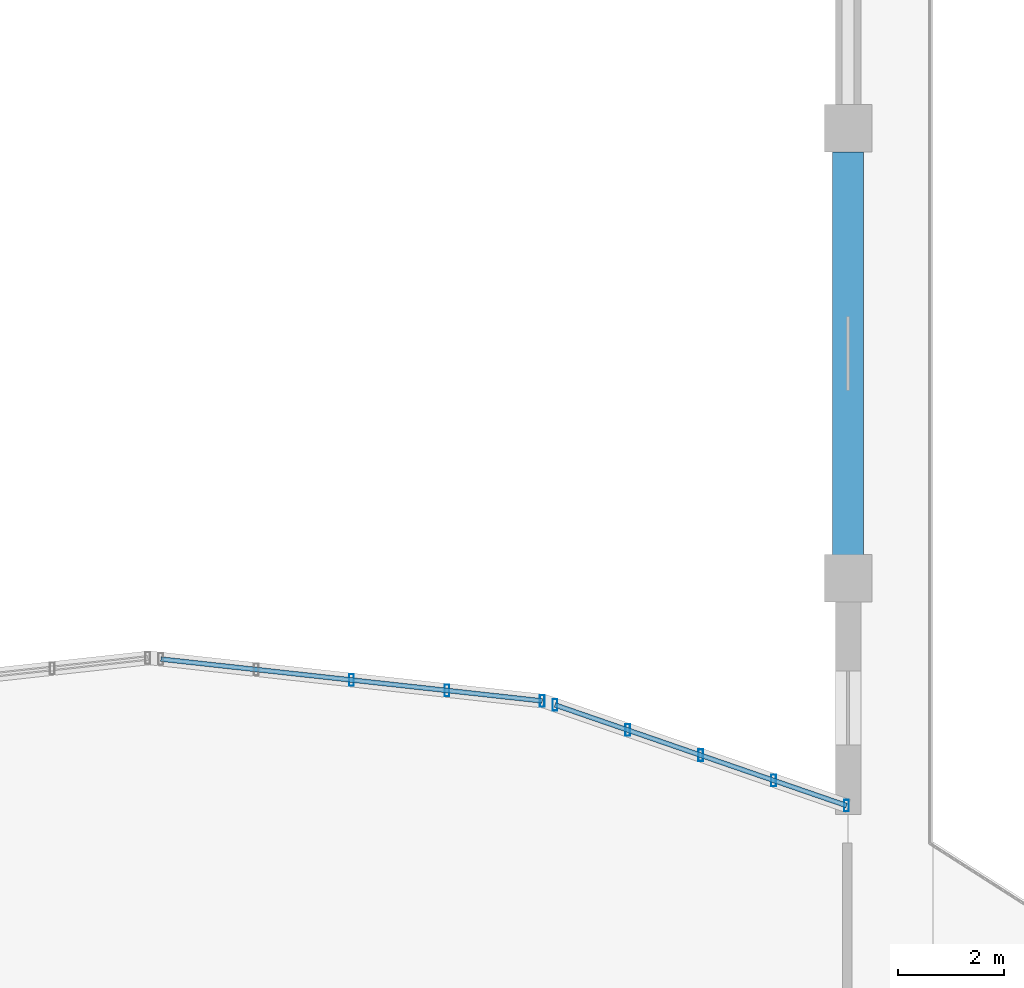
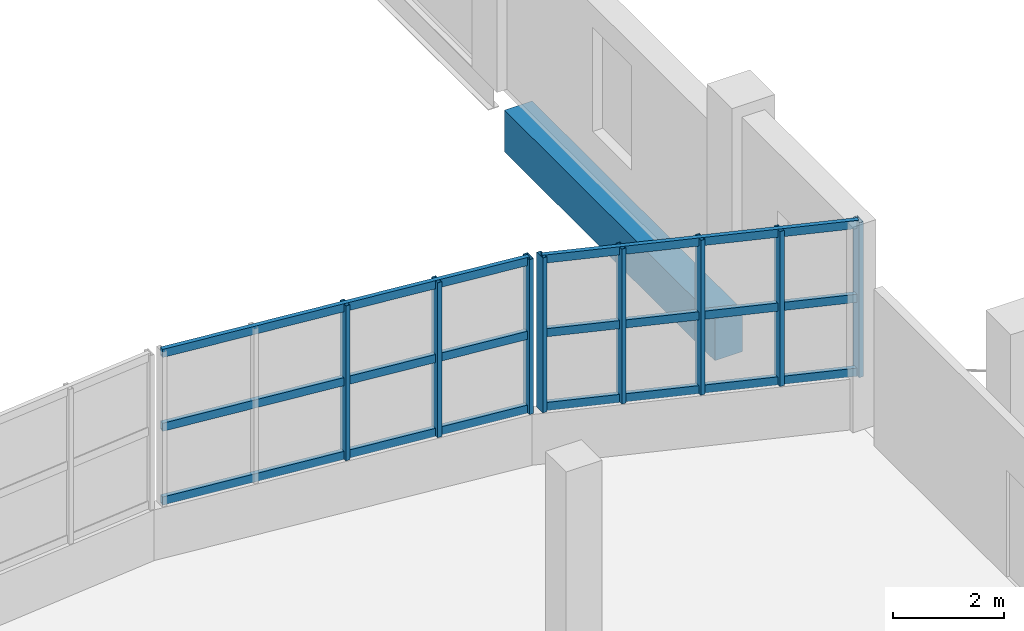
# One storey, part 23 of 77: 14 members, 1 beam, 2 elements without a shape of their own.
"""IFC4 building model written with IfcOpenShell, lengths in metres."""

from ifc_helpers import new_model, si_unit, direction, frame, origin, origin_2d, place, context, subcontext, project, spatial, rectangle, hollow_rectangle, extrude, material, material_profile, profile_set, type_object, element, aggregate, save


model = new_model("IFC4")

# Units and contexts
model_context = context("Model", 3, precision=1e-05, world=origin(), true_north=direction((0.0, 1.0)))
body_context = subcontext(model_context, "Body", "Model", "MODEL_VIEW")
ifc_project = project(units=[si_unit("LENGTHUNIT", "METRE"), si_unit("AREAUNIT", "SQUARE_METRE"), si_unit("VOLUMEUNIT", "CUBIC_METRE"), si_unit("PLANEANGLEUNIT", "RADIAN"), si_unit("MASSUNIT", "GRAM", prefix="KILO")], contexts=[model_context])

# Site, building, storey
site_placement = place(None, origin())
site = spatial("IfcSite", under=ifc_project, at=site_placement, CompositionType="ELEMENT")
building_placement = place(site_placement, origin())
building = spatial("IfcBuilding", under=site, at=building_placement, Name="Solvento Point Concert Hall", CompositionType="ELEMENT")
storey_placement = place(building_placement, frame((0.0, 0.0, 10.199951171875)))
storey = spatial("IfcBuildingStorey", under=building, at=storey_placement, Name="L02", CompositionType="ELEMENT", Elevation=10.199951171875)

# Beam
ifc_material_1 = material(Name="Concrete C35/45", Category="concrete")
ifc_material_profile_1 = material_profile(ifc_material_1, rectangle(XDim=0.580078125, YDim=0.919921875, at=origin_2d()), Name="RC-BM-580X920")
ifc_profile_set_1 = profile_set([ifc_material_profile_1], Name="Concrete C35/45")
beam_type = type_object("IfcBeamType", Name="Girder_RC_580x920", PredefinedType="USERDEFINED", material=ifc_profile_set_1)
beam_placement = place(storey_placement, frame((74.39990234375, 59.944091796875, -0.904052734375), z_axis=(0.0, 1.0, 0.0), x_axis=(-1.0, 0.0, 0.0)))
element("IfcBeam", 1, at=beam_placement, inside=storey, type_object=beam_type, Name="Primary girder B-95 L02", ObjectType="GIRDER", PredefinedType="USERDEFINED", context=body_context, shape_type="SweptSolid", body=[
    extrude(rectangle(XDim=0.580078125, YDim=0.919921875, at=origin_2d()), origin(), (0.0, 0.0, 1.0), 7.61181640625),
])

# Curtain wall, members
ifc_material_2 = material(Name="Anodized Bronze Aluminium", Category="aluminium")
curtain_wall_type = type_object("IfcCurtainWallType", Name="CurtainWall_RingRibbon_L01_02", PredefinedType="USERDEFINED", material=ifc_material_2)
curtain_wall_1_placement = place(storey_placement, origin())
curtain_wall_1 = element("IfcCurtainWall", 2, at=curtain_wall_1_placement, inside=storey, type_object=curtain_wall_type, Name="Unitised curtain wall CW-59 UCW-L02-176", ObjectType="UNITISED CURTAIN WALL", PredefinedType="USERDEFINED")
ifc_material_3 = material(Name="Anodized Bronze Aluminium", Category="aluminium")
ifc_material_profile_2 = material_profile(ifc_material_3, hollow_rectangle(XDim=0.090087890625, YDim=0.219970703125, WallThickness=0.00439453125, at=origin_2d()), Name="CW-MUL-90X220")
ifc_profile_set_2 = profile_set([ifc_material_profile_2], Name="Anodized Bronze Aluminium")
member_type_1 = type_object("IfcMemberType", Name="Mullion_90x220", PredefinedType="MULLION", material=ifc_profile_set_2)
member_1_placement = place(storey_placement, frame((65.021484375, 57.580810546875, 1.1201171875), z_axis=(0.0, 0.0, 1.0), x_axis=(1.0, 0.0, 0.0)))
member_1 = element("IfcMember", 3, at=member_1_placement, type_object=member_type_1, Name="Curtain wall mullion ML-02", PredefinedType="MULLION", context=body_context, shape_type="SweptSolid", body=[
    extrude(hollow_rectangle(XDim=0.090087890625, YDim=0.219970703125, WallThickness=0.00439453125, at=origin_2d()), origin(), (0.0, 0.0, 1.0), 3.419921875),
])
member_2_placement = place(storey_placement, frame((66.82275390625, 57.383056640625, 1.1201171875), z_axis=(0.0, 0.0, 1.0), x_axis=(1.0, 0.0, 0.0)))
member_2 = element("IfcMember", 4, at=member_2_placement, type_object=member_type_1, Name="Curtain wall mullion ML-02", PredefinedType="MULLION", context=body_context, shape_type="SweptSolid", body=[
    extrude(hollow_rectangle(XDim=0.090087890625, YDim=0.219970703125, WallThickness=0.00439453125, at=origin_2d()), origin(), (0.0, 0.0, 1.0), 3.419921875),
])
member_3_placement = place(storey_placement, frame((68.624267578125, 57.185546875, 1.1201171875), z_axis=(0.0, 0.0, 1.0), x_axis=(1.0, 0.0, 0.0)))
member_3 = element("IfcMember", 5, at=member_3_placement, type_object=member_type_1, Name="Curtain wall mullion ML-02", PredefinedType="MULLION", context=body_context, shape_type="SweptSolid", body=[
    extrude(hollow_rectangle(XDim=0.090087890625, YDim=0.219970703125, WallThickness=0.00439453125, at=origin_2d()), origin(), (0.0, 0.0, 1.0), 3.419921875),
])

curtain_wall_2_placement = place(storey_placement, origin())
curtain_wall_2 = element("IfcCurtainWall", 6, at=curtain_wall_2_placement, inside=storey, type_object=curtain_wall_type, Name="Unitised curtain wall CW-59 UCW-L02-177", ObjectType="UNITISED CURTAIN WALL", PredefinedType="USERDEFINED")
member_4_placement = place(storey_placement, frame((68.862060546875, 57.1103515625, 1.1201171875), z_axis=(0.0, 0.0, 1.0), x_axis=(1.0, 0.0, 0.0)))
member_4 = element("IfcMember", 7, at=member_4_placement, type_object=member_type_1, Name="Curtain wall mullion ML-02", PredefinedType="MULLION", context=body_context, shape_type="SweptSolid", body=[
    extrude(hollow_rectangle(XDim=0.090087890625, YDim=0.219970703125, WallThickness=0.00439453125, at=origin_2d()), origin(), (0.0, 0.0, 1.0), 3.419921875),
])
member_5_placement = place(storey_placement, frame((70.239501953125, 56.635009765625, 1.1201171875), z_axis=(0.0, 0.0, 1.0), x_axis=(1.0, 0.0, 0.0)))
member_5 = element("IfcMember", 8, at=member_5_placement, type_object=member_type_1, Name="Curtain wall mullion ML-02", PredefinedType="MULLION", context=body_context, shape_type="SweptSolid", body=[
    extrude(hollow_rectangle(XDim=0.090087890625, YDim=0.219970703125, WallThickness=0.00439453125, at=origin_2d()), origin(), (0.0, 0.0, 1.0), 3.419921875),
])
member_6_placement = place(storey_placement, frame((71.61669921875, 56.159423828125, 1.1201171875), z_axis=(0.0, 0.0, 1.0), x_axis=(1.0, 0.0, 0.0)))
member_6 = element("IfcMember", 9, at=member_6_placement, type_object=member_type_1, Name="Curtain wall mullion ML-02", PredefinedType="MULLION", context=body_context, shape_type="SweptSolid", body=[
    extrude(hollow_rectangle(XDim=0.090087890625, YDim=0.219970703125, WallThickness=0.00439453125, at=origin_2d()), origin(), (0.0, 0.0, 1.0), 3.419921875),
])
member_7_placement = place(storey_placement, frame((72.994140625, 55.68408203125, 1.1201171875), z_axis=(0.0, 0.0, 1.0), x_axis=(1.0, 0.0, 0.0)))
member_7 = element("IfcMember", 10, at=member_7_placement, type_object=member_type_1, Name="Curtain wall mullion ML-02", PredefinedType="MULLION", context=body_context, shape_type="SweptSolid", body=[
    extrude(hollow_rectangle(XDim=0.090087890625, YDim=0.219970703125, WallThickness=0.00439453125, at=origin_2d()), origin(), (0.0, 0.0, 1.0), 3.419921875),
])
member_8_placement = place(storey_placement, frame((74.37158203125, 55.20849609375, 1.1201171875), z_axis=(0.0, 0.0, 1.0), x_axis=(1.0, 0.0, 0.0)))
member_8 = element("IfcMember", 11, at=member_8_placement, type_object=member_type_1, Name="Curtain wall mullion ML-02", PredefinedType="MULLION", context=body_context, shape_type="SweptSolid", body=[
    extrude(hollow_rectangle(XDim=0.090087890625, YDim=0.219970703125, WallThickness=0.00439453125, at=origin_2d()), origin(), (0.0, 0.0, 1.0), 3.419921875),
])

# Member
ifc_material_4 = material(Name="Anodized Bronze Aluminium", Category="aluminium")
ifc_material_profile_3 = material_profile(ifc_material_4, hollow_rectangle(XDim=0.090087890625, YDim=0.179931640625, WallThickness=0.00439453125, at=origin_2d()), Name="CW-TRN-90X180")
ifc_profile_set_3 = profile_set([ifc_material_profile_3], Name="Anodized Bronze Aluminium")
member_type_2 = type_object("IfcMemberType", Name="Transom_90x180", PredefinedType="USERDEFINED", material=ifc_profile_set_3)
member_9_placement = place(storey_placement, frame((61.418701171875, 57.97607421875, 1.199951171875), z_axis=(0.994035576175, -0.109056285006, 0.0), x_axis=(0.109056285006, 0.994035576175, 0.0)))
member_9 = element("IfcMember", 12, at=member_9_placement, type_object=member_type_2, Name="Curtain wall transom TR-02", ObjectType="TRANSOM", PredefinedType="USERDEFINED", context=body_context, shape_type="SweptSolid", body=[
    extrude(hollow_rectangle(XDim=0.090087890625, YDim=0.179931640625, WallThickness=0.00439453125, at=origin_2d()), origin(), (0.0, 0.0, 1.0), 7.248779296875),
])

member_10_placement = place(storey_placement, frame((61.418701171875, 57.97607421875, 2.830078125), z_axis=(0.994035576175, -0.109056285006, 0.0), x_axis=(0.109056285006, 0.994035576175, 0.0)))
member_10 = element("IfcMember", 13, at=member_10_placement, type_object=member_type_2, Name="Curtain wall transom TR-02", ObjectType="TRANSOM", PredefinedType="USERDEFINED", context=body_context, shape_type="SweptSolid", body=[
    extrude(hollow_rectangle(XDim=0.090087890625, YDim=0.179931640625, WallThickness=0.00439453125, at=origin_2d()), origin(), (0.0, 0.0, 1.0), 7.248779296875),
])

member_11_placement = place(storey_placement, frame((61.418701171875, 57.97607421875, 4.4599609375), z_axis=(0.994035576175, -0.109056285006, 0.0), x_axis=(0.109056285006, 0.994035576175, 0.0)))
member_11 = element("IfcMember", 14, at=member_11_placement, type_object=member_type_2, Name="Curtain wall transom TR-02", ObjectType="TRANSOM", PredefinedType="USERDEFINED", context=body_context, shape_type="SweptSolid", body=[
    extrude(hollow_rectangle(XDim=0.090087890625, YDim=0.179931640625, WallThickness=0.00439453125, at=origin_2d()), origin(), (0.0, 0.0, 1.0), 7.248779296875),
])

aggregate(curtain_wall_1, [member_1, member_2, member_3, member_9, member_10, member_11])

member_12_placement = place(storey_placement, frame((68.862060546875, 57.1103515625, 1.199951171875), z_axis=(0.945266098735, -0.32630047898, 0.0), x_axis=(0.32630047898, 0.945266098735, 0.0)))
member_12 = element("IfcMember", 15, at=member_12_placement, type_object=member_type_2, Name="Curtain wall transom TR-02", ObjectType="TRANSOM", PredefinedType="USERDEFINED", context=body_context, shape_type="SweptSolid", body=[
    extrude(hollow_rectangle(XDim=0.090087890625, YDim=0.179931640625, WallThickness=0.00439453125, at=origin_2d()), origin(), (0.0, 0.0, 1.0), 5.82861328125),
])

member_13_placement = place(storey_placement, frame((68.862060546875, 57.1103515625, 2.830078125), z_axis=(0.945266098735, -0.32630047898, 0.0), x_axis=(0.32630047898, 0.945266098735, 0.0)))
member_13 = element("IfcMember", 16, at=member_13_placement, type_object=member_type_2, Name="Curtain wall transom TR-02", ObjectType="TRANSOM", PredefinedType="USERDEFINED", context=body_context, shape_type="SweptSolid", body=[
    extrude(hollow_rectangle(XDim=0.090087890625, YDim=0.179931640625, WallThickness=0.00439453125, at=origin_2d()), origin(), (0.0, 0.0, 1.0), 5.82861328125),
])

member_14_placement = place(storey_placement, frame((68.862060546875, 57.1103515625, 4.4599609375), z_axis=(0.945266098735, -0.32630047898, 0.0), x_axis=(0.32630047898, 0.945266098735, 0.0)))
member_14 = element("IfcMember", 17, at=member_14_placement, type_object=member_type_2, Name="Curtain wall transom TR-02", ObjectType="TRANSOM", PredefinedType="USERDEFINED", context=body_context, shape_type="SweptSolid", body=[
    extrude(hollow_rectangle(XDim=0.090087890625, YDim=0.179931640625, WallThickness=0.00439453125, at=origin_2d()), origin(), (0.0, 0.0, 1.0), 5.82861328125),
])

aggregate(curtain_wall_2, [member_4, member_5, member_6, member_7, member_8, member_12, member_13, member_14])

save(model, "model.ifc")
